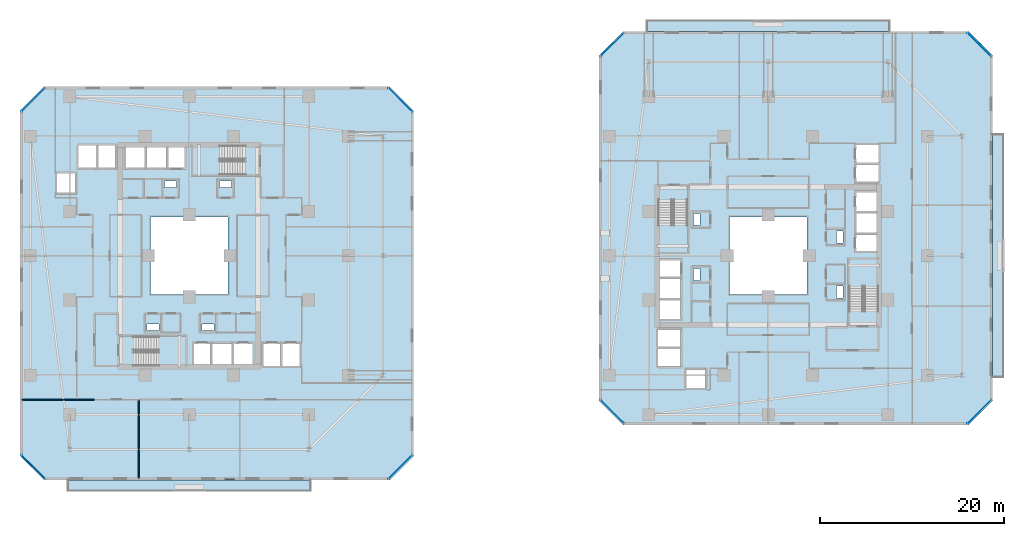
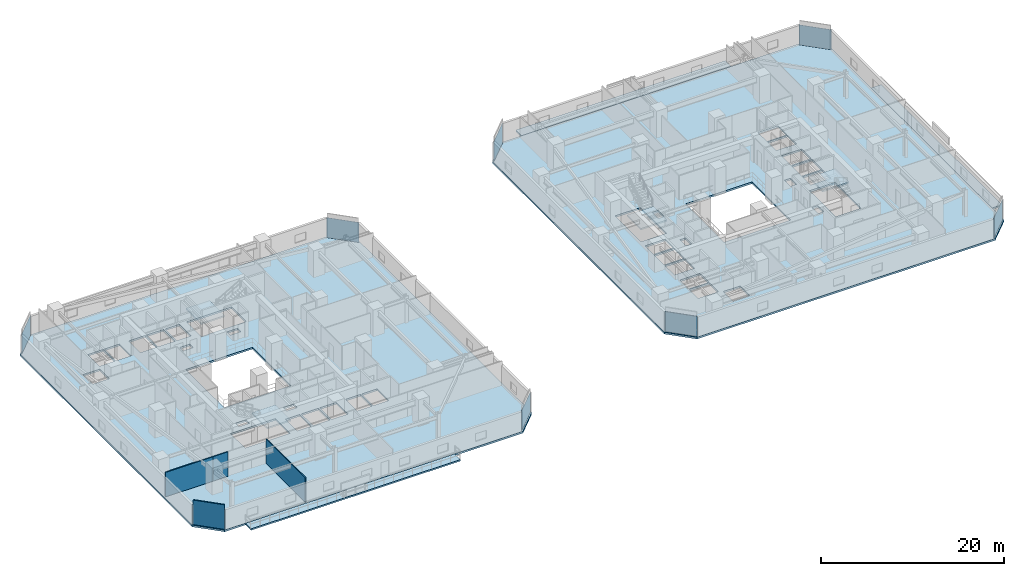
# One storey, part 20 of 36: 9 slabs, 8 plates, 4 walls, 12 elements without a shape of their own.
"""IFC4 building model written with IfcOpenShell, lengths in metres."""

from ifc_helpers import new_model, si_unit, direction, frame, frame_2d, origin, origin_2d, place, context, subcontext, project, spatial, polyline, rectangle, outline, extrude, material, layer, layer_set, type_object, element, aggregate, save


model = new_model("IFC4")

# Units and contexts
model_context = context("Model", 3, precision=1e-05, world=origin(), true_north=direction((0.0, 1.0)))
body_context = subcontext(model_context, "Body", "Model", "MODEL_VIEW")
ifc_project = project(units=[si_unit("LENGTHUNIT", "METRE"), si_unit("AREAUNIT", "SQUARE_METRE"), si_unit("VOLUMEUNIT", "CUBIC_METRE"), si_unit("PLANEANGLEUNIT", "RADIAN"), si_unit("MASSUNIT", "GRAM", prefix="KILO")], contexts=[model_context])

# Site, building, storey
site_placement = place(None, origin())
site = spatial("IfcSite", under=ifc_project, at=site_placement, CompositionType="ELEMENT")
building_placement = place(site_placement, origin())
building = spatial("IfcBuilding", under=site, at=building_placement, Name="Thornwick Lancets Civic Towers", CompositionType="ELEMENT")
storey_placement = place(building_placement, frame((0.0, 0.0, 68.10009765625)))
storey = spatial("IfcBuildingStorey", under=building, at=storey_placement, Name="L17", CompositionType="ELEMENT", Elevation=68.10009765625)

# Curtain wall, plate
ifc_material_1 = material(Name="Low-zone chamfered-corner unitised glass curtain wall", Category="glass")
curtain_wall_type = type_object("IfcCurtainWallType", Name="CW_SYS_03", PredefinedType="NOTDEFINED", material=ifc_material_1)
curtain_wall_1_placement = place(storey_placement, origin())
curtain_wall_1 = element("IfcCurtainWall", 1, at=curtain_wall_1_placement, inside=storey, type_object=curtain_wall_type, Name="L17 Curtain Wall CW-L17-A-E1", PredefinedType="NOTDEFINED")
ifc_material_2 = material(Name="Low-e double glazing clear glass", Category="glass")
ifc_layer_1 = layer(ifc_material_2, 0.035888671875, Name="Low-e double glazing clear glass")
ifc_layer_set_1 = layer_set([ifc_layer_1], Name="Low-e double glazing clear glass")
plate_type = type_object("IfcPlateType", Name="CW_PNL_GLASS", PredefinedType="CURTAIN_PANEL", material=ifc_layer_set_1)
plate_1_placement = place(storey_placement, frame((48.472900390625, 4.027099609375, 0.0), z_axis=(0.0, 0.0, 1.0), x_axis=(0.707106781187, 0.707106781187, 0.0)))
plate_1 = element("IfcPlate", 2, at=plate_1_placement, type_object=plate_type, Name="CW-L17-A-E1 Panel 0", PredefinedType="CURTAIN_PANEL", context=body_context, shape_type="SweptSolid", body=[
    extrude(rectangle(XDim=3.64990234375, YDim=0.035888671875, at=origin_2d()), origin(), (0.0, 0.0, 1.0), 2.659912109375),
])
aggregate(curtain_wall_1, [plate_1])

curtain_wall_2_placement = place(storey_placement, origin())
curtain_wall_2 = element("IfcCurtainWall", 3, at=curtain_wall_2_placement, inside=storey, type_object=curtain_wall_type, Name="L17 Curtain Wall CW-L17-A-E3", PredefinedType="NOTDEFINED")
plate_2_placement = place(storey_placement, frame((48.472900390625, 43.972900390625, 0.0), z_axis=(0.0, 0.0, 1.0), x_axis=(-0.707106781187, 0.707106781187, 0.0)))
plate_2 = element("IfcPlate", 4, at=plate_2_placement, type_object=plate_type, Name="CW-L17-A-E3 Panel 0", PredefinedType="CURTAIN_PANEL", context=body_context, shape_type="SweptSolid", body=[
    extrude(rectangle(XDim=3.64990234375, YDim=0.035888671875, at=origin_2d()), origin(), (0.0, 0.0, 1.0), 2.659912109375),
])
aggregate(curtain_wall_2, [plate_2])

curtain_wall_3_placement = place(storey_placement, origin())
curtain_wall_3 = element("IfcCurtainWall", 5, at=curtain_wall_3_placement, inside=storey, type_object=curtain_wall_type, Name="L17 Curtain Wall CW-L17-A-E5", PredefinedType="NOTDEFINED")
plate_3_placement = place(storey_placement, frame((8.527099609375, 43.972900390625, 0.0), z_axis=(0.0, 0.0, 1.0), x_axis=(-0.707106781187, -0.707106781187, 0.0)))
plate_3 = element("IfcPlate", 6, at=plate_3_placement, type_object=plate_type, Name="CW-L17-A-E5 Panel 0", PredefinedType="CURTAIN_PANEL", context=body_context, shape_type="SweptSolid", body=[
    extrude(rectangle(XDim=3.64990234375, YDim=0.035888671875, at=origin_2d()), origin(), (0.0, 0.0, 1.0), 2.659912109375),
])
aggregate(curtain_wall_3, [plate_3])

curtain_wall_4_placement = place(storey_placement, origin())
curtain_wall_4 = element("IfcCurtainWall", 7, at=curtain_wall_4_placement, inside=storey, type_object=curtain_wall_type, Name="L17 Curtain Wall CW-L17-A-E7", PredefinedType="NOTDEFINED")
plate_4_placement = place(storey_placement, frame((8.527099609375, 4.027099609375, 0.0), z_axis=(0.0, 0.0, 1.0), x_axis=(0.707106781187, -0.707106781187, 0.0)))
plate_4 = element("IfcPlate", 8, at=plate_4_placement, type_object=plate_type, Name="CW-L17-A-E7 Panel 0", PredefinedType="CURTAIN_PANEL", context=body_context, shape_type="SweptSolid", body=[
    extrude(rectangle(XDim=3.64990234375, YDim=0.035888671875, at=origin_2d()), origin(), (0.0, 0.0, 1.0), 2.659912109375),
])
aggregate(curtain_wall_4, [plate_4])

curtain_wall_5_placement = place(storey_placement, origin())
curtain_wall_5 = element("IfcCurtainWall", 9, at=curtain_wall_5_placement, inside=storey, type_object=curtain_wall_type, Name="L17 Curtain Wall CW-L17-B-E1", PredefinedType="NOTDEFINED")
plate_5_placement = place(storey_placement, frame((111.472900390625, 10.027099609375, 0.0), z_axis=(0.0, 0.0, 1.0), x_axis=(0.707106781187, 0.707106781187, 0.0)))
plate_5 = element("IfcPlate", 10, at=plate_5_placement, type_object=plate_type, Name="CW-L17-B-E1 Panel 0", PredefinedType="CURTAIN_PANEL", context=body_context, shape_type="SweptSolid", body=[
    extrude(rectangle(XDim=3.64990234375, YDim=0.035888671875, at=origin_2d()), origin(), (0.0, 0.0, 1.0), 2.659912109375),
])
aggregate(curtain_wall_5, [plate_5])

curtain_wall_6_placement = place(storey_placement, origin())
curtain_wall_6 = element("IfcCurtainWall", 11, at=curtain_wall_6_placement, inside=storey, type_object=curtain_wall_type, Name="L17 Curtain Wall CW-L17-B-E3", PredefinedType="NOTDEFINED")
plate_6_placement = place(storey_placement, frame((111.472900390625, 49.972900390625, 0.0), z_axis=(0.0, 0.0, 1.0), x_axis=(-0.707106781187, 0.707106781187, 0.0)))
plate_6 = element("IfcPlate", 12, at=plate_6_placement, type_object=plate_type, Name="CW-L17-B-E3 Panel 0", PredefinedType="CURTAIN_PANEL", context=body_context, shape_type="SweptSolid", body=[
    extrude(rectangle(XDim=3.64990234375, YDim=0.035888671875, at=origin_2d()), origin(), (0.0, 0.0, 1.0), 2.659912109375),
])
aggregate(curtain_wall_6, [plate_6])

curtain_wall_7_placement = place(storey_placement, origin())
curtain_wall_7 = element("IfcCurtainWall", 13, at=curtain_wall_7_placement, inside=storey, type_object=curtain_wall_type, Name="L17 Curtain Wall CW-L17-B-E5", PredefinedType="NOTDEFINED")
plate_7_placement = place(storey_placement, frame((71.527099609375, 49.972900390625, 0.0), z_axis=(0.0, 0.0, 1.0), x_axis=(-0.707106781187, -0.707106781187, 0.0)))
plate_7 = element("IfcPlate", 14, at=plate_7_placement, type_object=plate_type, Name="CW-L17-B-E5 Panel 0", PredefinedType="CURTAIN_PANEL", context=body_context, shape_type="SweptSolid", body=[
    extrude(rectangle(XDim=3.64990234375, YDim=0.035888671875, at=origin_2d()), origin(), (0.0, 0.0, 1.0), 2.659912109375),
])
aggregate(curtain_wall_7, [plate_7])

curtain_wall_8_placement = place(storey_placement, origin())
curtain_wall_8 = element("IfcCurtainWall", 15, at=curtain_wall_8_placement, inside=storey, type_object=curtain_wall_type, Name="L17 Curtain Wall CW-L17-B-E7", PredefinedType="NOTDEFINED")
plate_8_placement = place(storey_placement, frame((71.527099609375, 10.027099609375, 0.0), z_axis=(0.0, 0.0, 1.0), x_axis=(0.707106781187, -0.707106781187, 0.0)))
plate_8 = element("IfcPlate", 16, at=plate_8_placement, type_object=plate_type, Name="CW-L17-B-E7 Panel 0", PredefinedType="CURTAIN_PANEL", context=body_context, shape_type="SweptSolid", body=[
    extrude(rectangle(XDim=3.64990234375, YDim=0.035888671875, at=origin_2d()), origin(), (0.0, 0.0, 1.0), 2.659912109375),
])
aggregate(curtain_wall_8, [plate_8])

# Slabs
ifc_material_3 = material(Name="Post-tensioned concrete C40/50", Category="concrete")
ifc_layer_2 = layer(ifc_material_3, 0.199951171875, Name="Post-tensioned concrete C40/50")
ifc_layer_set_2 = layer_set([ifc_layer_2], Name="Post-tensioned concrete C40/50")
slab_type_1 = type_object("IfcSlabType", Name="SLAB_BALCONY_200", PredefinedType="FLOOR", material=ifc_layer_set_2)
slab_1_placement = place(storey_placement, frame((0.0, 0.0, -0.2001953125)))
element("IfcSlab", 17, at=slab_1_placement, inside=storey, type_object=slab_type_1, Name="L17 Tower A Planted Balcony Slab S", PredefinedType="FLOOR", context=body_context, shape_type="SweptSolid", body=[
    extrude(outline(polyline([(12.300048828125, 1.35009765625), (38.699951171875, 1.35009765625), (38.699951171875, 2.60009765625), (12.300048828125, 2.60009765625), (12.300048828125, 1.35009765625)])), origin(), (0.0, 0.0, 1.0), 0.2001953125),
])
slab_2_placement = place(storey_placement, frame((0.0, 0.0, -0.2001953125)))
element("IfcSlab", 18, at=slab_2_placement, inside=storey, type_object=slab_type_1, Name="L17 Tower B Planted Balcony Slab E", PredefinedType="FLOOR", context=body_context, shape_type="SweptSolid", body=[
    extrude(outline(polyline([(112.89990234375, 13.800048828125), (114.14990234375, 13.800048828125), (114.14990234375, 40.199951171875), (112.89990234375, 40.199951171875), (112.89990234375, 13.800048828125)])), origin(), (0.0, 0.0, 1.0), 0.2001953125),
])
slab_3_placement = place(storey_placement, frame((0.0, 0.0, -0.2001953125)))
element("IfcSlab", 19, at=slab_3_placement, inside=storey, type_object=slab_type_1, Name="L17 Tower B Planted Balcony Slab N", PredefinedType="FLOOR", context=body_context, shape_type="SweptSolid", body=[
    extrude(outline(polyline([(75.300048828125, 51.39990234375), (101.699951171875, 51.39990234375), (101.699951171875, 52.64990234375), (75.300048828125, 52.64990234375), (75.300048828125, 51.39990234375)])), origin(), (0.0, 0.0, 1.0), 0.2001953125),
])

# Stair, slab
ifc_material_4 = material(Name="Concrete C40/50", Category="concrete")
stair_type = type_object("IfcStairType", Name="STAIR_DL_3600", PredefinedType="HALF_TURN_STAIR", material=ifc_material_4)
stair_1_placement = place(storey_placement, origin())
stair_1 = element("IfcStair", 20, at=stair_1_placement, inside=storey, type_object=stair_type, Name="L17 Tower A South Exit Stair ST-A1", PredefinedType="HALF_TURN_STAIR")
ifc_layer_3 = layer(ifc_material_4, 0.25, Name="Concrete C40/50")
ifc_layer_set_3 = layer_set([ifc_layer_3], Name="Concrete C40/50")
slab_type_2 = type_object("IfcSlabType", Name="SLAB_LANDING_200", PredefinedType="LANDING", material=ifc_layer_set_3)
slab_4_placement = place(storey_placement, frame((0.0, 0.0, 1.602783203125)))
slab_4 = element("IfcSlab", 21, at=slab_4_placement, type_object=slab_type_2, Name="ST-A1 landing 1", PredefinedType="LANDING", context=body_context, shape_type="SweptSolid", body=[
    extrude(outline(polyline([(22.169921875, 14.93994140625), (25.14990234375, 14.93994140625), (25.14990234375, 18.260009765625), (22.169921875, 18.260009765625), (22.169921875, 14.93994140625)])), origin(), (0.0, 0.0, 1.0), 0.2001953125),
])
aggregate(stair_1, [slab_4])

stair_2_placement = place(storey_placement, origin())
stair_2 = element("IfcStair", 22, at=stair_2_placement, inside=storey, type_object=stair_type, Name="L17 Tower A North Exit Stair ST-A2", PredefinedType="HALF_TURN_STAIR")
slab_5_placement = place(storey_placement, frame((0.0, 0.0, 1.602783203125)))
slab_5 = element("IfcSlab", 23, at=slab_5_placement, type_object=slab_type_2, Name="ST-A2 landing 1", PredefinedType="LANDING", context=body_context, shape_type="SweptSolid", body=[
    extrude(outline(polyline([(28.830078125, 39.06005859375), (25.85009765625, 39.06005859375), (25.85009765625, 35.739990234375), (28.830078125, 35.739990234375), (28.830078125, 39.06005859375)])), origin(), (0.0, 0.0, 1.0), 0.2001953125),
])
aggregate(stair_2, [slab_5])

stair_3_placement = place(storey_placement, origin())
stair_3 = element("IfcStair", 24, at=stair_3_placement, inside=storey, type_object=stair_type, Name="L17 Tower B East Exit Stair ST-B1", PredefinedType="HALF_TURN_STAIR")
slab_6_placement = place(storey_placement, frame((0.0, 0.0, 1.602783203125)))
slab_6 = element("IfcSlab", 25, at=slab_6_placement, type_object=slab_type_2, Name="ST-B1 landing 1", PredefinedType="LANDING", context=body_context, shape_type="SweptSolid", body=[
    extrude(outline(polyline([(100.56005859375, 23.669921875), (100.56005859375, 26.64990234375), (97.239990234375, 26.64990234375), (97.239990234375, 23.669921875), (100.56005859375, 23.669921875)])), origin(), (0.0, 0.0, 1.0), 0.2001953125),
])
aggregate(stair_3, [slab_6])

stair_4_placement = place(storey_placement, origin())
stair_4 = element("IfcStair", 26, at=stair_4_placement, inside=storey, type_object=stair_type, Name="L17 Tower B West Exit Stair ST-B2", PredefinedType="HALF_TURN_STAIR")
slab_7_placement = place(storey_placement, frame((0.0, 0.0, 1.602783203125)))
slab_7 = element("IfcSlab", 27, at=slab_7_placement, type_object=slab_type_2, Name="ST-B2 landing 1", PredefinedType="LANDING", context=body_context, shape_type="SweptSolid", body=[
    extrude(outline(polyline([(76.43994140625, 30.330078125), (76.43994140625, 27.35009765625), (79.760009765625, 27.35009765625), (79.760009765625, 30.330078125), (76.43994140625, 30.330078125)])), origin(), (0.0, 0.0, 1.0), 0.2001953125),
])
aggregate(stair_4, [slab_7])

# Slabs
ifc_layer_4 = layer(ifc_material_3, 0.239990234375, Name="Post-tensioned concrete C40/50")
ifc_layer_set_4 = layer_set([ifc_layer_4], Name="Post-tensioned concrete C40/50")
slab_type_3 = type_object("IfcSlabType", Name="SLAB_PT_240", PredefinedType="FLOOR", material=ifc_layer_set_4)
slab_8_placement = place(storey_placement, frame((0.0, 0.0, -0.239990234375)))
element("IfcSlab", 28, at=slab_8_placement, inside=storey, type_object=slab_type_3, Name="L17 Tower A Floor Slab", PredefinedType="FLOOR", context=body_context, shape_type="SweptSolid", body=[
    extrude(outline(polyline([(9.699951171875, 2.60009765625), (47.300048828125, 2.60009765625), (49.89990234375, 5.199951171875), (49.89990234375, 42.800048828125), (47.300048828125, 45.39990234375), (9.699951171875, 45.39990234375), (7.10009765625, 42.800048828125), (7.10009765625, 5.199951171875), (9.699951171875, 2.60009765625)]), holes=[polyline([(21.300048828125, 22.800048828125), (29.699951171875, 22.800048828125), (29.699951171875, 31.199951171875), (21.300048828125, 31.199951171875), (21.300048828125, 22.800048828125)]), polyline([(19.429931640625, 15.0), (25.10009765625, 15.0), (25.10009765625, 18.199951171875), (19.429931640625, 18.199951171875), (19.429931640625, 15.0)]), polyline([(31.570068359375, 39.0), (25.89990234375, 39.0), (25.89990234375, 35.800048828125), (31.570068359375, 35.800048828125), (31.570068359375, 39.0)]), polyline([(26.0, 15.0), (27.800048828125, 15.0), (27.800048828125, 17.550048828125), (26.0, 17.550048828125), (26.0, 15.0)]), polyline([(28.0, 15.0), (30.14990234375, 15.0), (30.14990234375, 17.550048828125), (28.0, 17.550048828125), (28.0, 15.0)]), polyline([(30.35009765625, 15.0), (32.39990234375, 15.0), (32.39990234375, 17.550048828125), (30.35009765625, 17.550048828125), (30.35009765625, 15.0)]), polyline([(33.550048828125, 15.0), (35.449951171875, 15.0), (35.449951171875, 17.550048828125), (33.550048828125, 17.550048828125), (33.550048828125, 15.0)]), polyline([(35.60009765625, 15.0), (37.550048828125, 15.0), (37.550048828125, 17.550048828125), (35.60009765625, 17.550048828125), (35.60009765625, 15.0)]), polyline([(23.199951171875, 36.449951171875), (25.0, 36.449951171875), (25.0, 39.0), (23.199951171875, 39.0), (23.199951171875, 36.449951171875)]), polyline([(20.85009765625, 36.449951171875), (23.0, 36.449951171875), (23.0, 39.0), (20.85009765625, 39.0), (20.85009765625, 36.449951171875)]), polyline([(18.60009765625, 36.449951171875), (20.699951171875, 36.449951171875), (20.699951171875, 39.0), (18.60009765625, 39.0), (18.60009765625, 36.449951171875)]), polyline([(15.550048828125, 36.449951171875), (17.449951171875, 36.449951171875), (17.449951171875, 39.0), (15.550048828125, 39.0), (15.550048828125, 36.449951171875)]), polyline([(13.449951171875, 36.449951171875), (15.39990234375, 36.449951171875), (15.39990234375, 39.0), (13.449951171875, 39.0), (13.449951171875, 36.449951171875)]), polyline([(11.10009765625, 33.85009765625), (13.199951171875, 33.85009765625), (13.199951171875, 35.949951171875), (11.10009765625, 35.949951171875), (11.10009765625, 33.85009765625)]), polyline([(26.89990234375, 18.85009765625), (28.199951171875, 18.85009765625), (28.199951171875, 19.580078125), (26.89990234375, 19.580078125), (26.89990234375, 18.85009765625)]), polyline([(20.89990234375, 18.85009765625), (22.199951171875, 18.85009765625), (22.199951171875, 19.580078125), (20.89990234375, 19.580078125), (20.89990234375, 18.85009765625)]), polyline([(22.800048828125, 34.419921875), (24.10009765625, 34.419921875), (24.10009765625, 35.14990234375), (22.800048828125, 35.14990234375), (22.800048828125, 34.419921875)]), polyline([(28.800048828125, 34.419921875), (30.10009765625, 34.419921875), (30.10009765625, 35.14990234375), (28.800048828125, 35.14990234375), (28.800048828125, 34.419921875)])]), origin(), (0.0, 0.0, 1.0), 0.239990234375),
])
slab_9_placement = place(storey_placement, frame((0.0, 0.0, -0.239990234375)))
element("IfcSlab", 29, at=slab_9_placement, inside=storey, type_object=slab_type_3, Name="L17 Tower B Floor Slab", PredefinedType="FLOOR", context=body_context, shape_type="SweptSolid", body=[
    extrude(outline(polyline([(72.699951171875, 8.60009765625), (110.300048828125, 8.60009765625), (112.89990234375, 11.199951171875), (112.89990234375, 48.800048828125), (110.300048828125, 51.39990234375), (72.699951171875, 51.39990234375), (70.10009765625, 48.800048828125), (70.10009765625, 11.199951171875), (72.699951171875, 8.60009765625)]), holes=[polyline([(84.300048828125, 22.800048828125), (92.699951171875, 22.800048828125), (92.699951171875, 31.199951171875), (84.300048828125, 31.199951171875), (84.300048828125, 22.800048828125)]), polyline([(100.5, 20.929931640625), (100.5, 26.60009765625), (97.300048828125, 26.60009765625), (97.300048828125, 20.929931640625), (100.5, 20.929931640625)]), polyline([(76.5, 33.070068359375), (76.5, 27.39990234375), (79.699951171875, 27.39990234375), (79.699951171875, 33.070068359375), (76.5, 33.070068359375)]), polyline([(97.949951171875, 27.5), (100.5, 27.5), (100.5, 29.300048828125), (97.949951171875, 29.300048828125), (97.949951171875, 27.5)]), polyline([(97.949951171875, 29.5), (100.5, 29.5), (100.5, 31.64990234375), (97.949951171875, 31.64990234375), (97.949951171875, 29.5)]), polyline([(97.949951171875, 31.85009765625), (100.5, 31.85009765625), (100.5, 33.89990234375), (97.949951171875, 33.89990234375), (97.949951171875, 31.85009765625)]), polyline([(97.949951171875, 35.050048828125), (100.5, 35.050048828125), (100.5, 36.949951171875), (97.949951171875, 36.949951171875), (97.949951171875, 35.050048828125)]), polyline([(97.949951171875, 37.10009765625), (100.5, 37.10009765625), (100.5, 39.050048828125), (97.949951171875, 39.050048828125), (97.949951171875, 37.10009765625)]), polyline([(76.5, 24.699951171875), (79.050048828125, 24.699951171875), (79.050048828125, 26.5), (76.5, 26.5), (76.5, 24.699951171875)]), polyline([(76.5, 22.35009765625), (79.050048828125, 22.35009765625), (79.050048828125, 24.5), (76.5, 24.5), (76.5, 22.35009765625)]), polyline([(76.5, 20.10009765625), (79.050048828125, 20.10009765625), (79.050048828125, 22.199951171875), (76.5, 22.199951171875), (76.5, 20.10009765625)]), polyline([(76.5, 17.050048828125), (79.050048828125, 17.050048828125), (79.050048828125, 18.949951171875), (76.5, 18.949951171875), (76.5, 17.050048828125)]), polyline([(76.5, 14.949951171875), (79.050048828125, 14.949951171875), (79.050048828125, 16.89990234375), (76.5, 16.89990234375), (76.5, 14.949951171875)]), polyline([(79.550048828125, 12.60009765625), (81.64990234375, 12.60009765625), (81.64990234375, 14.699951171875), (79.550048828125, 14.699951171875), (79.550048828125, 12.60009765625)]), polyline([(95.919921875, 28.39990234375), (96.64990234375, 28.39990234375), (96.64990234375, 29.699951171875), (95.919921875, 29.699951171875), (95.919921875, 28.39990234375)]), polyline([(95.919921875, 22.39990234375), (96.64990234375, 22.39990234375), (96.64990234375, 23.699951171875), (95.919921875, 23.699951171875), (95.919921875, 22.39990234375)]), polyline([(80.35009765625, 24.300048828125), (81.080078125, 24.300048828125), (81.080078125, 25.60009765625), (80.35009765625, 25.60009765625), (80.35009765625, 24.300048828125)]), polyline([(80.35009765625, 30.300048828125), (81.080078125, 30.300048828125), (81.080078125, 31.60009765625), (80.35009765625, 31.60009765625), (80.35009765625, 30.300048828125)])]), origin(), (0.0, 0.0, 1.0), 0.239990234375),
])

# Walls
ifc_material_5 = material(Name="Acoustic gypsum board partition")
ifc_layer_5 = layer(ifc_material_5, 0.1201171875, Name="Acoustic gypsum board partition")
ifc_layer_set_5 = layer_set([ifc_layer_5], Name="Acoustic gypsum board partition")
wall_type = type_object("IfcWallType", Name="WALL_PART_120", PredefinedType="PARTITIONING", material=ifc_layer_set_5)
wall_1_placement = place(storey_placement, frame((13.25, 11.35009765625, 0.0), z_axis=(0.0, 0.0, 1.0), x_axis=(-1.0, 0.0, 0.0)))
element("IfcWall", 30, at=wall_1_placement, inside=storey, type_object=wall_type, Name="L17 Partition L17-A-W1 E5", PredefinedType="PARTITIONING", context=body_context, shape_type="SweptSolid", body=[
    extrude(rectangle(XDim=5.969970703125, YDim=0.1201171875, at=frame_2d((2.98486328125, 0.0))), origin(), (0.0, 0.0, 1.0), 3.260009765625),
])
wall_2_placement = place(storey_placement, frame((13.25, 11.35009765625, 0.0), z_axis=(0.0, 0.0, 1.0), x_axis=(1.0, 0.0, 0.0)))
element("IfcWall", 31, at=wall_2_placement, inside=storey, type_object=wall_type, Name="L17 Partition L17-A-S-OFF1 E1", PredefinedType="PARTITIONING", context=body_context, shape_type="SweptSolid", body=[
    extrude(rectangle(XDim=1.89990234375, YDim=0.1201171875, at=frame_2d((0.949951171875, 0.0))), origin(), (0.0, 0.0, 1.0), 3.260009765625),
])
wall_3_placement = place(storey_placement, frame((20.0, 11.35009765625, 0.0), z_axis=(0.0, 0.0, 1.0), x_axis=(0.0, -1.0, 0.0)))
element("IfcWall", 32, at=wall_3_placement, inside=storey, type_object=wall_type, Name="L17 Partition L17-A-S-OFF1 E3", PredefinedType="PARTITIONING", context=body_context, shape_type="SweptSolid", body=[
    extrude(rectangle(XDim=8.570068359375, YDim=0.1201171875, at=frame_2d((4.28515625, 0.0))), origin(), (0.0, 0.0, 1.0), 3.260009765625),
])
wall_4_placement = place(storey_placement, frame((9.774658203125, 2.780029296875, 0.0), z_axis=(0.0, 0.0, 1.0), x_axis=(-0.707106781187, 0.707106781187, 0.0)))
element("IfcWall", 33, at=wall_4_placement, inside=storey, type_object=wall_type, Name="L17 Partition L17-A-S-OFF1 E5", PredefinedType="PARTITIONING", context=body_context, shape_type="SweptSolid", body=[
    extrude(rectangle(XDim=3.52783203125, YDim=0.1201171875, at=frame_2d((1.763916015625, 0.0))), origin(), (0.0, 0.0, 1.0), 3.260009765625),
])

save(model, "model.ifc")
